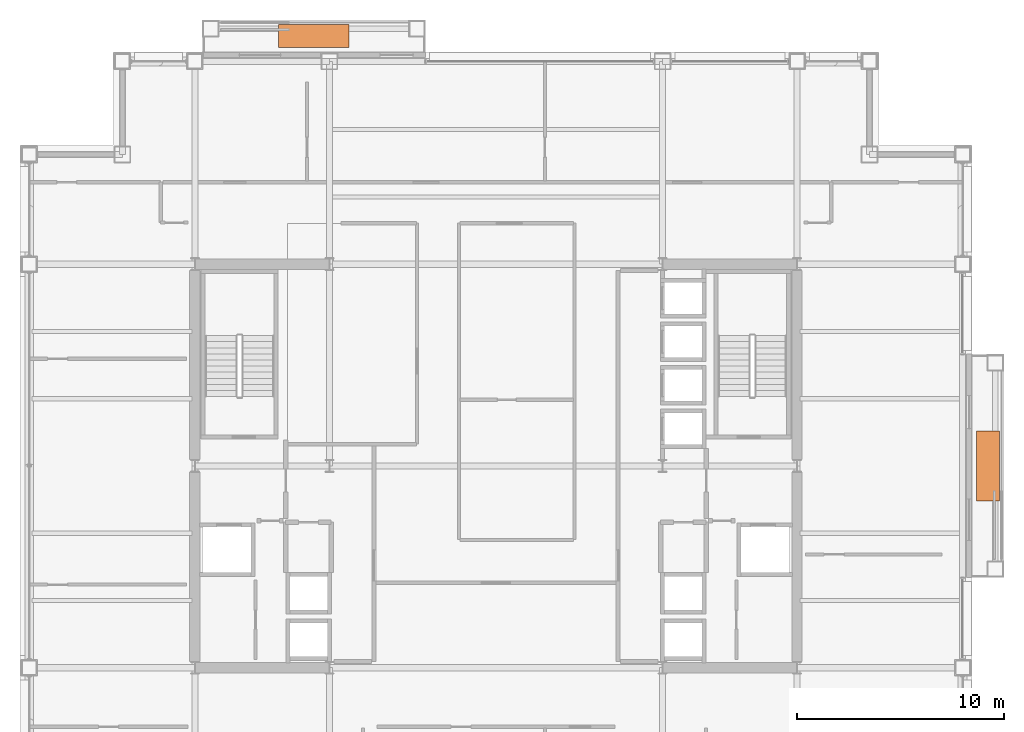
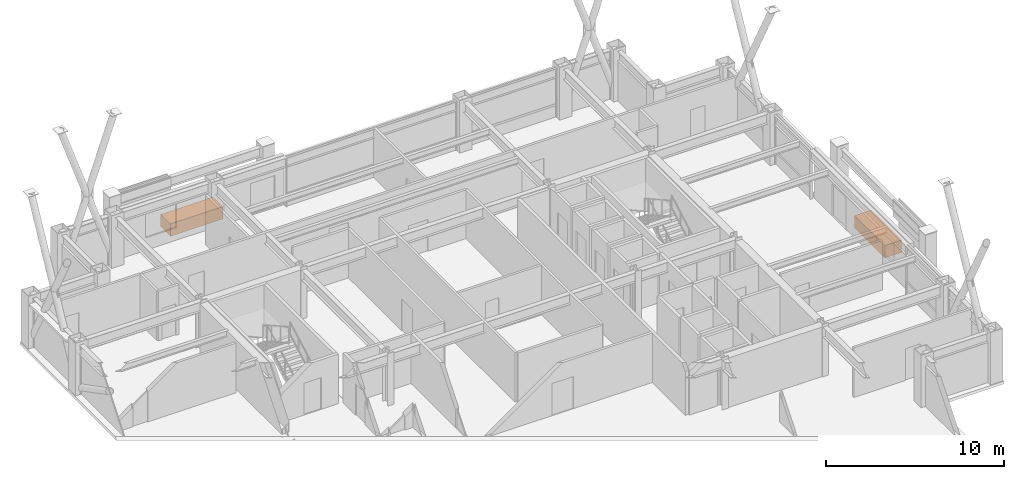
# One storey, part 33 of 33: 2 proxies.
"""IFC4 building model written with IfcOpenShell, lengths in metres."""

from ifc_helpers import new_model, si_unit, direction, frame, origin, origin_2d, place, context, subcontext, project, spatial, rectangle, extrude, material, type_object, element, save


model = new_model("IFC4")

# Units and contexts
model_context = context("Model", 3, precision=1e-05, world=origin(), true_north=direction((0.0, 1.0)))
body_context = subcontext(model_context, "Body", "Model", "MODEL_VIEW")
ifc_project = project(units=[si_unit("LENGTHUNIT", "METRE"), si_unit("AREAUNIT", "SQUARE_METRE"), si_unit("VOLUMEUNIT", "CUBIC_METRE"), si_unit("PLANEANGLEUNIT", "RADIAN"), si_unit("MASSUNIT", "GRAM", prefix="KILO")], contexts=[model_context])

# Site, building, storey
site_placement = place(None, origin())
site = spatial("IfcSite", under=ifc_project, at=site_placement, CompositionType="ELEMENT")
building_placement = place(site_placement, origin())
building = spatial("IfcBuilding", under=site, at=building_placement, Name="Brelmoor Portico Tower", CompositionType="ELEMENT")
storey_placement = place(building_placement, frame((0.0, 0.0, 120.60009765625)))
storey = spatial("IfcBuildingStorey", under=building, at=storey_placement, Name="L31", CompositionType="ELEMENT", Elevation=120.60009765625)

# Proxies
ifc_material = material(Name="Architectural Precast Concrete C40", Category="concrete")
building_element_proxy_type = type_object("IfcBuildingElementProxyType", Name="TREE PLANTER", PredefinedType="USERDEFINED", material=ifc_material)
for number, where, z_axis, x_axis, name in (
    (1, (-8.800048828125, 20.77490234375, -0.000244140625), (0.0, 0.0, 1.0), (1.0, 0.0, 0.0), "L31 Planted Tree Planter N"),
    (2, (23.77490234375, 0.0, -0.000244140625), (0.0, 0.0, 1.0), (0.0, 1.0, 0.0), "L31 Planted Tree Planter E"),
):
    element("IfcBuildingElementProxy", number, at=place(storey_placement, frame(where, z_axis=z_axis, x_axis=x_axis)), inside=storey, type_object=building_element_proxy_type, Name=name, ObjectType="PLANTER", PredefinedType="USERDEFINED", context=body_context, shape_type="SweptSolid", body=[
        extrude(rectangle(XDim=3.39990234375, YDim=1.10009765625, at=origin_2d()), origin(), (0.0, 0.0, 1.0), 0.85009765625),
    ])

save(model, "model.ifc")
